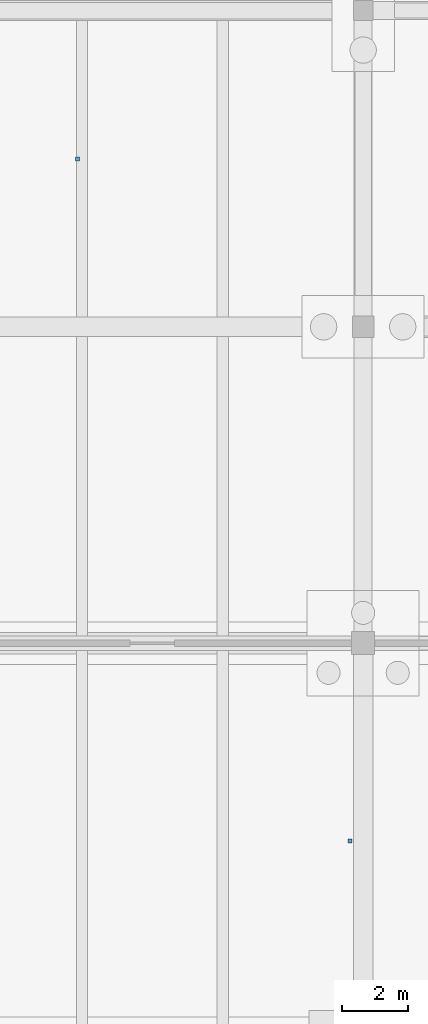
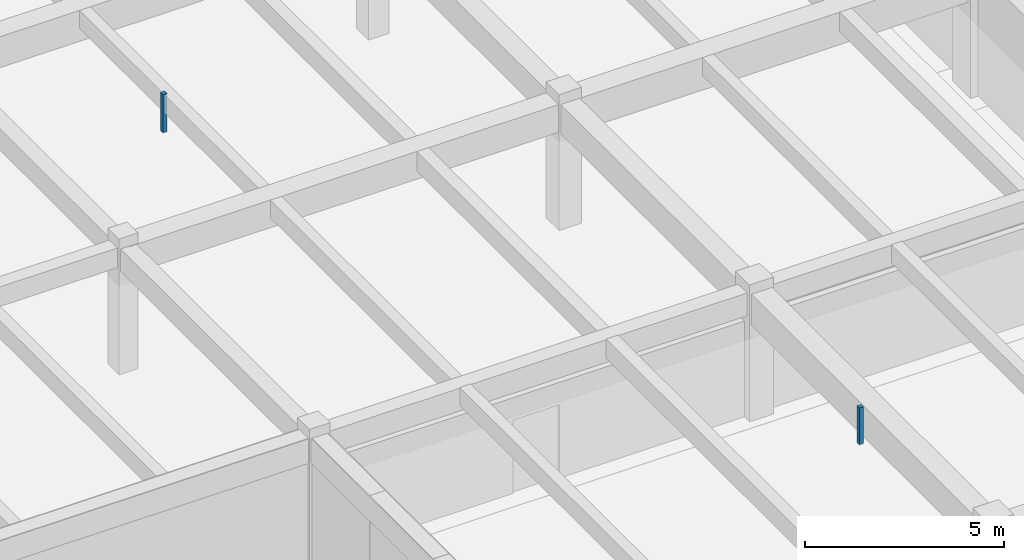
# One storey, part 28 of 41: 2 discrete accessories.
"""IFC4 building model written with IfcOpenShell, lengths in metres."""

import ifcopenshell
import ifcopenshell.guid

model = None  # the IFC model being written
_history = None  # IfcOwnerHistory: only IFC2X3 demands one
_inside = {}  # id of a spatial element -> (the spatial element, [elements in it])
_under = {}  # id of a project, library or spatial element -> (it, [spatial elements below it])
_declared = {}  # id of a project -> (the project, [libraries it declares])
_typed = {}  # id of a type object -> (the type object, [elements of that type])
_made_of = {}  # id of a material, layer set ... -> (it, [elements and type objects made of it])


def new_model(schema):
    """Start an empty IFC model of exactly this schema.

    Asked for "IFC4X3", IfcOpenShell would pick the latest addendum, in which some entities
    have other attributes; the version numbers below select the first issue.
    IFC2X3 requires an IfcOwnerHistory on every rooted entity: one is made here for all.
    """
    global model, _history
    if schema == "IFC4X3":
        model = ifcopenshell.file(schema_version=(4, 3, 0, 0))
    else:
        model = ifcopenshell.file(schema=schema)
    _inside.clear()
    _under.clear()
    _declared.clear()
    _typed.clear()
    _made_of.clear()
    _history = None
    if model.schema == "IFC2X3":
        org = make("IfcOrganization", Name="unknown")
        user = make(
            "IfcPersonAndOrganization",
            ThePerson=make("IfcPerson", FamilyName="unknown"),
            TheOrganization=org,
        )
        app = make(
            "IfcApplication",
            ApplicationDeveloper=org,
            Version="unknown",
            ApplicationFullName="unknown",
            ApplicationIdentifier="unknown",
        )
        _history = make(
            "IfcOwnerHistory",
            OwningUser=user,
            OwningApplication=app,
            ChangeAction="ADDED",
            CreationDate=0,
        )
    return model


def make(cls, **values):
    """One entity of the class cls with the attributes given. An attribute that is None is left unset."""
    return model.create_entity(
        cls, **{name: value for name, value in values.items() if value is not None}
    )


def rooted(cls, **values):
    """An entity with a GlobalId (a new one), such as an element, a storey or a relation."""
    return make(cls, GlobalId=ifcopenshell.guid.new(), OwnerHistory=_history, **values)


def si_unit(unit_type, name, prefix=None):
    """IfcSIUnit, for example si_unit("LENGTHUNIT", "METRE", prefix="MILLI")."""
    return make("IfcSIUnit", UnitType=unit_type, Prefix=prefix, Name=name)


def assignment(units):
    """IfcUnitAssignment: the units of a project."""
    return None if units is None else make("IfcUnitAssignment", Units=units)


def point(xyz):
    """IfcCartesianPoint."""
    return None if xyz is None else make("IfcCartesianPoint", Coordinates=xyz)


def direction(xyz):
    """IfcDirection."""
    return None if xyz is None else make("IfcDirection", DirectionRatios=xyz)


def frame(location, z_axis=None, x_axis=None):
    """IfcAxis2Placement3D, a coordinate frame: its origin and axes. An axis left out is left unset."""
    return make(
        "IfcAxis2Placement3D",
        Location=point(location),
        Axis=direction(z_axis),
        RefDirection=direction(x_axis),
    )


def frame_2d(location, x_axis=None):
    """IfcAxis2Placement2D, a coordinate frame in the plane: its origin and x axis."""
    return make(
        "IfcAxis2Placement2D", Location=point(location), RefDirection=direction(x_axis)
    )


def origin():
    """The frame at (0, 0, 0) with its axes left unset."""
    return frame((0.0, 0.0, 0.0))


def origin_2d():
    """The frame at (0, 0) in the plane with its x axis left unset."""
    return frame_2d((0.0, 0.0))


def place(relative_to, where):
    """IfcLocalPlacement: puts the frame where relative to a parent placement (None: the world)."""
    return make(
        "IfcLocalPlacement", PlacementRelTo=relative_to, RelativePlacement=where
    )


def context(
    kind, dimensions, precision=None, world=None, true_north=None, identifier=None
):
    """IfcGeometricRepresentationContext, for example the 3D "Model" context."""
    return make(
        "IfcGeometricRepresentationContext",
        ContextIdentifier=identifier,
        ContextType=kind,
        CoordinateSpaceDimension=dimensions,
        Precision=precision,
        WorldCoordinateSystem=world,
        TrueNorth=true_north,
    )


def subcontext(parent, identifier, kind, view, scale=None):
    """IfcGeometricRepresentationSubContext, for example "Body" below "Model"."""
    return make(
        "IfcGeometricRepresentationSubContext",
        ContextIdentifier=identifier,
        ContextType=kind,
        ParentContext=parent,
        TargetScale=scale,
        TargetView=view,
    )


def project(units=None, contexts=None):
    """IfcProject with its units and contexts."""
    return rooted(
        "IfcProject",
        Name="project",
        RepresentationContexts=contexts,
        UnitsInContext=assignment(units),
    )


def spatial(cls, under=None, at=None, **own):
    """A site, building, storey or space (cls), placed at a placement, below another one or the project."""
    s = rooted(cls, ObjectPlacement=at, **own)
    if under is not None:
        _under.setdefault(under.id(), (under, []))[1].append(s)
    return s


def profile(cls, at=None, kind="AREA", **sizes):
    """A parametric profile (cls). Its sizes go by their IFC names, for example OverallWidth=200.0."""
    return make(cls, ProfileType=kind, Position=at, **sizes)


def rectangle(**sizes):
    """IfcRectangleProfileDef."""
    return profile("IfcRectangleProfileDef", **sizes)


def extrude(swept, where, along, depth):
    """IfcExtrudedAreaSolid: the profile swept, set in the frame where, extruded along a direction by depth."""
    return make(
        "IfcExtrudedAreaSolid",
        SweptArea=swept,
        Position=where,
        ExtrudedDirection=direction(along),
        Depth=depth,
    )


def shape(context_of_items, identifier, shape_type, items):
    """IfcShapeRepresentation: the items that make up one representation, for example the "Body"."""
    return make(
        "IfcShapeRepresentation",
        ContextOfItems=context_of_items,
        RepresentationIdentifier=identifier,
        RepresentationType=shape_type,
        Items=items,
    )


def material(Name=None, Category=None):
    """IfcMaterial."""
    return make("IfcMaterial", Name=Name, Category=Category)


def made_of(thing, what):
    """Note that an element or type object is made of a material, layer set ...; save() writes the relation."""
    if what is not None:
        _made_of.setdefault(what.id(), (what, []))[1].append(thing)
    return thing


def type_object(cls, material=None, **own):
    """A type object (cls), such as IfcWallType, which elements share."""
    return made_of(rooted(cls, **own), material)


def element(
    cls,
    number,
    at=None,
    inside=None,
    cuts=None,
    type_object=None,
    material=None,
    context=None,
    identifier="Body",
    shape_type=None,
    held_by="IfcProductDefinitionShape",
    body=None,
    shapes=None,
    **own,
):
    """One element of the class cls, such as IfcWall. Its Tag is "e" and its number.

    at: its placement. inside: the storey or other place that contains it. cuts: it is an
    opening in that element (IfcRelVoidsElement). A single representation is given by context,
    identifier, shape_type and body (its items); several are given by shapes. held_by: the class
    of the entity that holds the representations. save() writes the other relations.
    """
    e = rooted(cls, Tag="e%d" % number, ObjectPlacement=at, **own)
    if body is not None:
        shapes = [shape(context, identifier, shape_type, body)]
    if shapes is not None:
        e.Representation = make(held_by, Representations=shapes)
    if inside is not None:
        _inside.setdefault(inside.id(), (inside, []))[1].append(e)
    if cuts is not None:
        rooted(
            "IfcRelVoidsElement", RelatingBuildingElement=cuts, RelatedOpeningElement=e
        )
    if type_object is not None:
        _typed.setdefault(type_object.id(), (type_object, []))[1].append(e)
    return made_of(e, material)


def aggregate(whole, parts):
    """IfcRelAggregates: a whole, such as a stair, and the parts it consists of."""
    return rooted("IfcRelAggregates", RelatingObject=whole, RelatedObjects=parts)


def save(model, path):
    """Write the relations noted so far, then the file.

    IfcRelAggregates (storeys below a building ...), IfcRelContainedInSpatialStructure (elements
    in a storey), IfcRelDefinesByType, IfcRelAssociatesMaterial and IfcRelDeclares: one each for
    every whole, place, type object, material and project.
    """
    for whole, parts in _under.values():
        aggregate(whole, parts)
    for where, things in _inside.values():
        rooted(
            "IfcRelContainedInSpatialStructure",
            RelatedElements=things,
            RelatingStructure=where,
        )
    for kind, things in _typed.values():
        rooted("IfcRelDefinesByType", RelatedObjects=things, RelatingType=kind)
    for what, things in _made_of.values():
        rooted("IfcRelAssociatesMaterial", RelatedObjects=things, RelatingMaterial=what)
    for by, libraries in _declared.values():
        rooted("IfcRelDeclares", RelatingContext=by, RelatedDefinitions=libraries)
    model.write(path)


model = new_model("IFC4")

# Units and contexts
model_context = context("Model", 3, precision=1e-05, world=origin(), true_north=direction((0.0, 1.0)))
body_context = subcontext(model_context, "Body", "Model", "MODEL_VIEW")
ifc_project = project(units=[si_unit("LENGTHUNIT", "METRE"), si_unit("AREAUNIT", "SQUARE_METRE"), si_unit("VOLUMEUNIT", "CUBIC_METRE"), si_unit("PLANEANGLEUNIT", "RADIAN"), si_unit("MASSUNIT", "GRAM", prefix="KILO")], contexts=[model_context])

# Site, building, storey
site_placement = place(None, origin())
site = spatial("IfcSite", under=ifc_project, at=site_placement, CompositionType="ELEMENT")
building_placement = place(site_placement, origin())
building = spatial("IfcBuilding", under=site, at=building_placement, Name="Fikremerkos Civic Library", CompositionType="ELEMENT")
storey_placement = place(building_placement, frame((0.0, 0.0, -8.39990234375)))
storey = spatial("IfcBuildingStorey", under=building, at=storey_placement, Name="B02", CompositionType="ELEMENT", Elevation=-8.39990234375)

# Discrete accessories
ifc_material = material(Name="Galvanized Steel S275", Category="steel")
discrete_accessory_type = type_object("IfcDiscreteAccessoryType", Name="Ceiling hanger bracket BRK-01", PredefinedType="BRACKET", material=ifc_material)
discrete_accessory_1_placement = place(storey_placement, frame((151.324462890625, 26.69091796875, 2.7197265625), z_axis=(0.0, 0.0, 1.0), x_axis=(1.0, 0.0, 0.0)))
element("IfcDiscreteAccessory", 1, at=discrete_accessory_1_placement, inside=storey, type_object=discrete_accessory_type, Name="Acoustic ceiling hanger bracket #7", PredefinedType="BRACKET", context=body_context, shape_type="SweptSolid", body=[
    extrude(rectangle(XDim=0.1201171875, YDim=0.1201171875, at=origin_2d()), origin(), (0.0, 0.0, 1.0), 1.179931640625),
])
discrete_accessory_2_placement = place(storey_placement, frame((159.60009765625, 6.0, 2.7900390625), z_axis=(0.0, 0.0, 1.0), x_axis=(1.0, 0.0, 0.0)))
element("IfcDiscreteAccessory", 2, at=discrete_accessory_2_placement, inside=storey, type_object=discrete_accessory_type, Name="Acoustic ceiling hanger bracket #8", PredefinedType="BRACKET", context=body_context, shape_type="SweptSolid", body=[
    extrude(rectangle(XDim=0.1201171875, YDim=0.1201171875, at=origin_2d()), origin(), (0.0, 0.0, 1.0), 1.1298828125),
])

save(model, "model.ifc")
